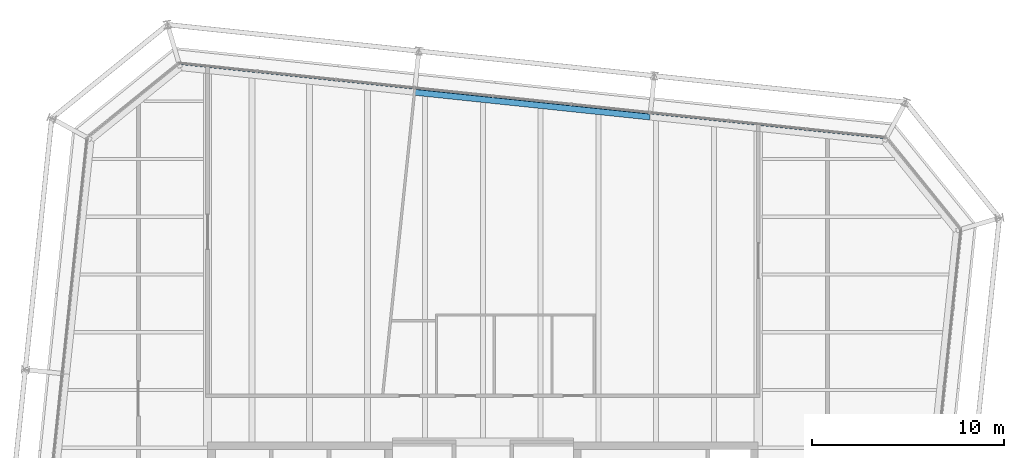
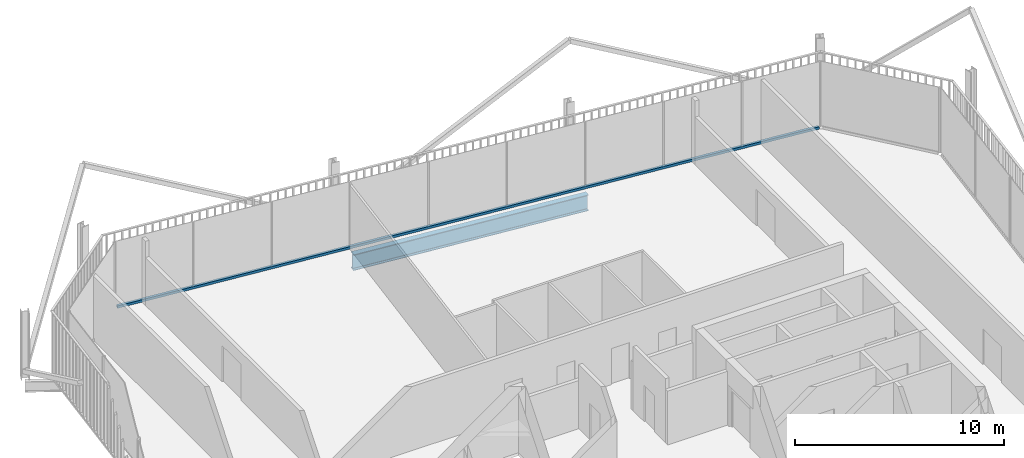
# One storey, part 13 of 21: 1 beam, 1 member, 1 element without a shape of its own.
"""IFC4 building model written with IfcOpenShell, lengths in metres."""

import ifcopenshell
import ifcopenshell.guid

model = None  # the IFC model being written
_history = None  # IfcOwnerHistory: only IFC2X3 demands one
_inside = {}  # id of a spatial element -> (the spatial element, [elements in it])
_under = {}  # id of a project, library or spatial element -> (it, [spatial elements below it])
_declared = {}  # id of a project -> (the project, [libraries it declares])
_typed = {}  # id of a type object -> (the type object, [elements of that type])
_made_of = {}  # id of a material, layer set ... -> (it, [elements and type objects made of it])


def new_model(schema):
    """Start an empty IFC model of exactly this schema.

    Asked for "IFC4X3", IfcOpenShell would pick the latest addendum, in which some entities
    have other attributes; the version numbers below select the first issue.
    IFC2X3 requires an IfcOwnerHistory on every rooted entity: one is made here for all.
    """
    global model, _history
    if schema == "IFC4X3":
        model = ifcopenshell.file(schema_version=(4, 3, 0, 0))
    else:
        model = ifcopenshell.file(schema=schema)
    _inside.clear()
    _under.clear()
    _declared.clear()
    _typed.clear()
    _made_of.clear()
    _history = None
    if model.schema == "IFC2X3":
        org = make("IfcOrganization", Name="unknown")
        user = make(
            "IfcPersonAndOrganization",
            ThePerson=make("IfcPerson", FamilyName="unknown"),
            TheOrganization=org,
        )
        app = make(
            "IfcApplication",
            ApplicationDeveloper=org,
            Version="unknown",
            ApplicationFullName="unknown",
            ApplicationIdentifier="unknown",
        )
        _history = make(
            "IfcOwnerHistory",
            OwningUser=user,
            OwningApplication=app,
            ChangeAction="ADDED",
            CreationDate=0,
        )
    return model


def make(cls, **values):
    """One entity of the class cls with the attributes given. An attribute that is None is left unset."""
    return model.create_entity(
        cls, **{name: value for name, value in values.items() if value is not None}
    )


def rooted(cls, **values):
    """An entity with a GlobalId (a new one), such as an element, a storey or a relation."""
    return make(cls, GlobalId=ifcopenshell.guid.new(), OwnerHistory=_history, **values)


def si_unit(unit_type, name, prefix=None):
    """IfcSIUnit, for example si_unit("LENGTHUNIT", "METRE", prefix="MILLI")."""
    return make("IfcSIUnit", UnitType=unit_type, Prefix=prefix, Name=name)


def assignment(units):
    """IfcUnitAssignment: the units of a project."""
    return None if units is None else make("IfcUnitAssignment", Units=units)


def point(xyz):
    """IfcCartesianPoint."""
    return None if xyz is None else make("IfcCartesianPoint", Coordinates=xyz)


def direction(xyz):
    """IfcDirection."""
    return None if xyz is None else make("IfcDirection", DirectionRatios=xyz)


def frame(location, z_axis=None, x_axis=None):
    """IfcAxis2Placement3D, a coordinate frame: its origin and axes. An axis left out is left unset."""
    return make(
        "IfcAxis2Placement3D",
        Location=point(location),
        Axis=direction(z_axis),
        RefDirection=direction(x_axis),
    )


def frame_2d(location, x_axis=None):
    """IfcAxis2Placement2D, a coordinate frame in the plane: its origin and x axis."""
    return make(
        "IfcAxis2Placement2D", Location=point(location), RefDirection=direction(x_axis)
    )


def origin():
    """The frame at (0, 0, 0) with its axes left unset."""
    return frame((0.0, 0.0, 0.0))


def origin_2d():
    """The frame at (0, 0) in the plane with its x axis left unset."""
    return frame_2d((0.0, 0.0))


def place(relative_to, where):
    """IfcLocalPlacement: puts the frame where relative to a parent placement (None: the world)."""
    return make(
        "IfcLocalPlacement", PlacementRelTo=relative_to, RelativePlacement=where
    )


def context(
    kind, dimensions, precision=None, world=None, true_north=None, identifier=None
):
    """IfcGeometricRepresentationContext, for example the 3D "Model" context."""
    return make(
        "IfcGeometricRepresentationContext",
        ContextIdentifier=identifier,
        ContextType=kind,
        CoordinateSpaceDimension=dimensions,
        Precision=precision,
        WorldCoordinateSystem=world,
        TrueNorth=true_north,
    )


def subcontext(parent, identifier, kind, view, scale=None):
    """IfcGeometricRepresentationSubContext, for example "Body" below "Model"."""
    return make(
        "IfcGeometricRepresentationSubContext",
        ContextIdentifier=identifier,
        ContextType=kind,
        ParentContext=parent,
        TargetScale=scale,
        TargetView=view,
    )


def project(units=None, contexts=None):
    """IfcProject with its units and contexts."""
    return rooted(
        "IfcProject",
        Name="project",
        RepresentationContexts=contexts,
        UnitsInContext=assignment(units),
    )


def spatial(cls, under=None, at=None, **own):
    """A site, building, storey or space (cls), placed at a placement, below another one or the project."""
    s = rooted(cls, ObjectPlacement=at, **own)
    if under is not None:
        _under.setdefault(under.id(), (under, []))[1].append(s)
    return s


def profile(cls, at=None, kind="AREA", **sizes):
    """A parametric profile (cls). Its sizes go by their IFC names, for example OverallWidth=200.0."""
    return make(cls, ProfileType=kind, Position=at, **sizes)


def rectangle(**sizes):
    """IfcRectangleProfileDef."""
    return profile("IfcRectangleProfileDef", **sizes)


def i_section(**sizes):
    """IfcIShapeProfileDef."""
    return profile("IfcIShapeProfileDef", **sizes)


def extrude(swept, where, along, depth):
    """IfcExtrudedAreaSolid: the profile swept, set in the frame where, extruded along a direction by depth."""
    return make(
        "IfcExtrudedAreaSolid",
        SweptArea=swept,
        Position=where,
        ExtrudedDirection=direction(along),
        Depth=depth,
    )


def shape(context_of_items, identifier, shape_type, items):
    """IfcShapeRepresentation: the items that make up one representation, for example the "Body"."""
    return make(
        "IfcShapeRepresentation",
        ContextOfItems=context_of_items,
        RepresentationIdentifier=identifier,
        RepresentationType=shape_type,
        Items=items,
    )


def material(Name=None, Category=None):
    """IfcMaterial."""
    return make("IfcMaterial", Name=Name, Category=Category)


def layer(
    of_material, thickness, ventilated=None, Name=None, Category=None, Priority=None
):
    """IfcMaterialLayer: one layer of a wall or slab, of a material (None: an air gap)."""
    return make(
        "IfcMaterialLayer",
        Material=of_material,
        LayerThickness=thickness,
        IsVentilated=ventilated,
        Name=Name,
        Category=Category,
        Priority=Priority,
    )


def layer_set(layers, Name=None):
    """IfcMaterialLayerSet."""
    return make("IfcMaterialLayerSet", MaterialLayers=layers, LayerSetName=Name)


def material_profile(
    of_material, cross_section, Name=None, Category=None, Priority=None
):
    """IfcMaterialProfile: a cross section and its material."""
    return make(
        "IfcMaterialProfile",
        Name=Name,
        Material=of_material,
        Profile=cross_section,
        Priority=Priority,
        Category=Category,
    )


def profile_set(profiles, Name=None, composite=None):
    """IfcMaterialProfileSet."""
    return make(
        "IfcMaterialProfileSet",
        Name=Name,
        MaterialProfiles=profiles,
        CompositeProfile=composite,
    )


def made_of(thing, what):
    """Note that an element or type object is made of a material, layer set ...; save() writes the relation."""
    if what is not None:
        _made_of.setdefault(what.id(), (what, []))[1].append(thing)
    return thing


def type_object(cls, material=None, **own):
    """A type object (cls), such as IfcWallType, which elements share."""
    return made_of(rooted(cls, **own), material)


def element(
    cls,
    number,
    at=None,
    inside=None,
    cuts=None,
    type_object=None,
    material=None,
    context=None,
    identifier="Body",
    shape_type=None,
    held_by="IfcProductDefinitionShape",
    body=None,
    shapes=None,
    **own,
):
    """One element of the class cls, such as IfcWall. Its Tag is "e" and its number.

    at: its placement. inside: the storey or other place that contains it. cuts: it is an
    opening in that element (IfcRelVoidsElement). A single representation is given by context,
    identifier, shape_type and body (its items); several are given by shapes. held_by: the class
    of the entity that holds the representations. save() writes the other relations.
    """
    e = rooted(cls, Tag="e%d" % number, ObjectPlacement=at, **own)
    if body is not None:
        shapes = [shape(context, identifier, shape_type, body)]
    if shapes is not None:
        e.Representation = make(held_by, Representations=shapes)
    if inside is not None:
        _inside.setdefault(inside.id(), (inside, []))[1].append(e)
    if cuts is not None:
        rooted(
            "IfcRelVoidsElement", RelatingBuildingElement=cuts, RelatedOpeningElement=e
        )
    if type_object is not None:
        _typed.setdefault(type_object.id(), (type_object, []))[1].append(e)
    return made_of(e, material)


def aggregate(whole, parts):
    """IfcRelAggregates: a whole, such as a stair, and the parts it consists of."""
    return rooted("IfcRelAggregates", RelatingObject=whole, RelatedObjects=parts)


def save(model, path):
    """Write the relations noted so far, then the file.

    IfcRelAggregates (storeys below a building ...), IfcRelContainedInSpatialStructure (elements
    in a storey), IfcRelDefinesByType, IfcRelAssociatesMaterial and IfcRelDeclares: one each for
    every whole, place, type object, material and project.
    """
    for whole, parts in _under.values():
        aggregate(whole, parts)
    for where, things in _inside.values():
        rooted(
            "IfcRelContainedInSpatialStructure",
            RelatedElements=things,
            RelatingStructure=where,
        )
    for kind, things in _typed.values():
        rooted("IfcRelDefinesByType", RelatedObjects=things, RelatingType=kind)
    for what, things in _made_of.values():
        rooted("IfcRelAssociatesMaterial", RelatedObjects=things, RelatingMaterial=what)
    for by, libraries in _declared.values():
        rooted("IfcRelDeclares", RelatingContext=by, RelatedDefinitions=libraries)
    model.write(path)


model = new_model("IFC4")

# Units and contexts
model_context = context("Model", 3, precision=1e-05, world=origin(), true_north=direction((0.0, 1.0)))
body_context = subcontext(model_context, "Body", "Model", "MODEL_VIEW")
ifc_project = project(units=[si_unit("LENGTHUNIT", "METRE"), si_unit("AREAUNIT", "SQUARE_METRE"), si_unit("VOLUMEUNIT", "CUBIC_METRE"), si_unit("PLANEANGLEUNIT", "RADIAN"), si_unit("MASSUNIT", "GRAM", prefix="KILO")], contexts=[model_context])

# Site, building, storey
site_placement = place(None, origin())
site = spatial("IfcSite", under=ifc_project, at=site_placement, CompositionType="ELEMENT")
building_placement = place(site_placement, origin())
building = spatial("IfcBuilding", under=site, at=building_placement, Name="Millrace Tower", CompositionType="ELEMENT")
storey_placement = place(building_placement, frame((0.0, 0.0, 318.699951171875)))
storey = spatial("IfcBuildingStorey", under=building, at=storey_placement, Name="L73", CompositionType="ELEMENT", Elevation=318.699951171875)

# Curtain wall, member
ifc_material_1 = material(Name="Aluminium and glass", Category="aluminium")
ifc_layer = layer(ifc_material_1, 0.14990234375)
ifc_layer_set = layer_set([ifc_layer], Name="Aluminium and glass")
curtain_wall_type = type_object("IfcCurtainWallType", Name="CW-1 office vision curtain wall", PredefinedType="NOTDEFINED", material=ifc_layer_set)
curtain_wall_placement = place(storey_placement, origin())
curtain_wall = element("IfcCurtainWall", 1, at=curtain_wall_placement, inside=storey, type_object=curtain_wall_type, Name="Curtain wall E-F06 L73", PredefinedType="NOTDEFINED")
ifc_material_2 = material(Name="Aluminium", Category="aluminium")
ifc_material_profile_1 = material_profile(ifc_material_2, rectangle(XDim=0.14990234375, YDim=0.139892578125, at=origin_2d()))
ifc_profile_set_1 = profile_set([ifc_material_profile_1], Name="Aluminium")
member_type = type_object("IfcMemberType", Name="CW-1 office vision curtain wall transom", PredefinedType="USERDEFINED", material=ifc_profile_set_1)
member_placement = place(storey_placement, frame((20.83544921875, 25.1318359375, 0.070068359375), z_axis=(-0.994521952886, 0.104527916025, 0.0), x_axis=(-0.104527916025, -0.994521952886, 0.0)))
member = element("IfcMember", 2, at=member_placement, type_object=member_type, Name="CW1 transom E-F06.1", ObjectType="TRANSOM", PredefinedType="USERDEFINED", context=body_context, shape_type="SweptSolid", body=[
    extrude(rectangle(XDim=0.14990234375, YDim=0.139892578125, at=origin_2d()), origin(), (0.0, 0.0, 1.0), 36.699951171875),
])
aggregate(curtain_wall, [member])

# Beam
ifc_material_3 = material(Name="Steel ASTM A992 Grade 50", Category="steel")
ifc_material_profile_2 = material_profile(ifc_material_3, i_section(OverallWidth=0.307373046875, OverallDepth=0.927001953125, WebThickness=0.01953125, FlangeThickness=0.031982421875, FilletRadius=0.01904296875, at=origin_2d()))
ifc_profile_set_2 = profile_set([ifc_material_profile_2], Name="Steel ASTM A992 Grade 50")
beam_type = type_object("IfcBeamType", Name="Ring beam medium span W36x194", PredefinedType="SPANDREL", material=ifc_profile_set_2)
beam_placement = place(storey_placement, frame((-3.554443359375, 27.46533203125, -0.62353515625), z_axis=(0.994522406476, -0.104523600289, 0.0), x_axis=(0.104523600289, 0.994522406476, 0.0)))
element("IfcBeam", 3, at=beam_placement, inside=storey, type_object=beam_type, Name="RNG-E-L73-S1-06", PredefinedType="SPANDREL", context=body_context, shape_type="SweptSolid", body=[
    extrude(i_section(OverallWidth=0.307373046875, OverallDepth=0.927001953125, WebThickness=0.01953125, FlangeThickness=0.031982421875, FilletRadius=0.01904296875, at=origin_2d()), origin(), (0.0, 0.0, 1.0), 12.300048828125),
])

save(model, "model.ifc")
